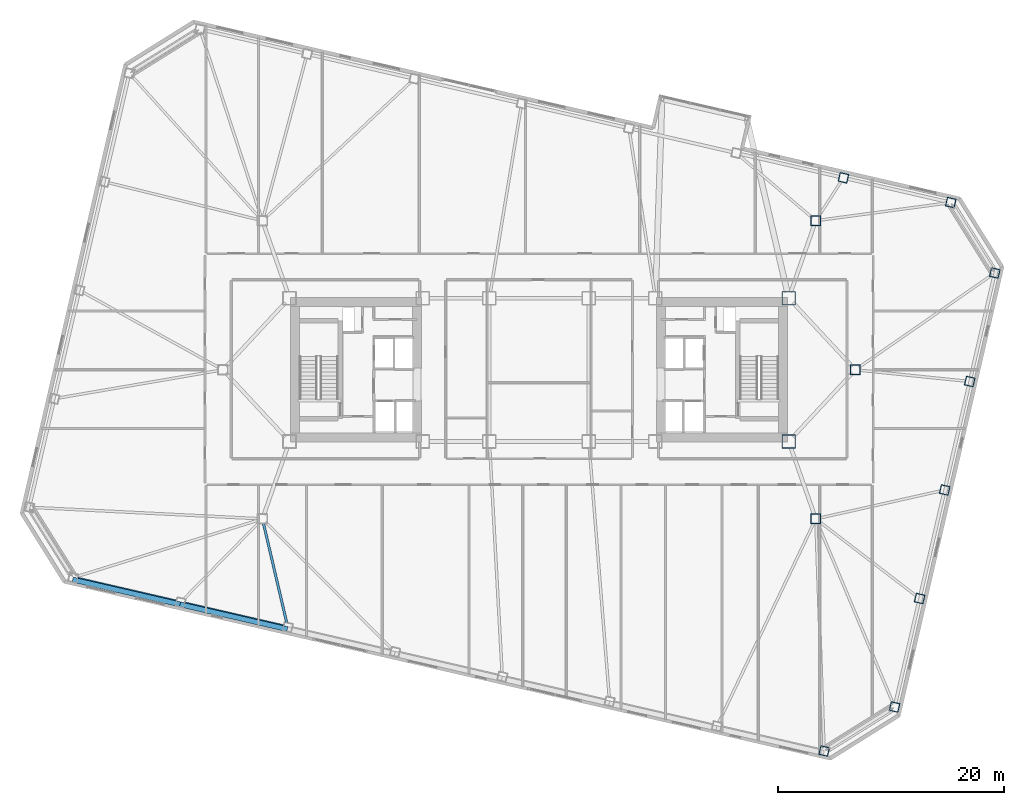
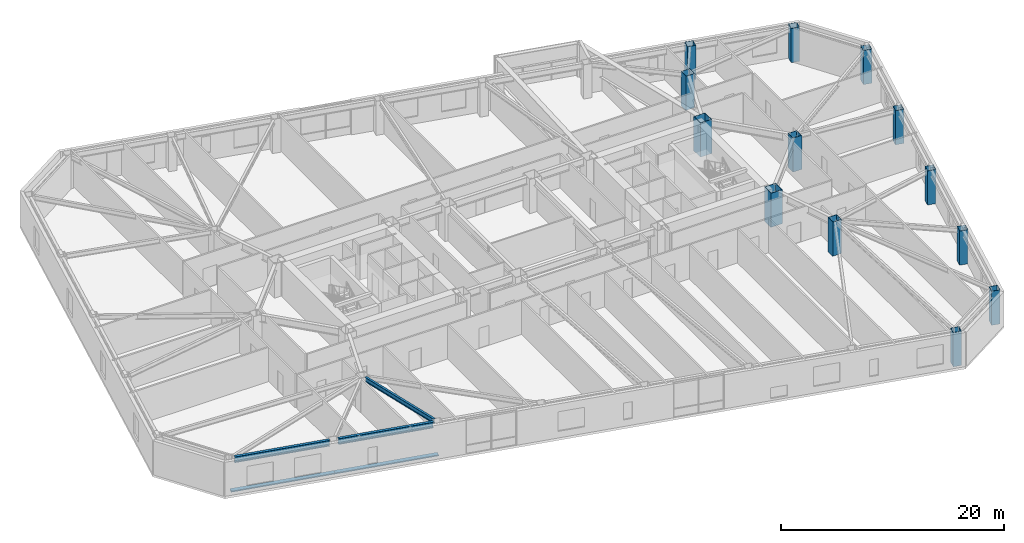
# One storey, part 3 of 23: 13 columns, 3 beams, 2 members.
"""IFC4 building model written with IfcOpenShell, lengths in metres."""

from ifc_helpers import new_model, si_unit, direction, frame, origin, origin_2d, place, context, subcontext, project, spatial, rectangle, hollow_rectangle, i_section, extrude, material, material_profile, profile_set, type_object, element, save


model = new_model("IFC4")

# Units and contexts
model_context = context("Model", 3, precision=1e-05, world=origin(), true_north=direction((0.0, 1.0)))
body_context = subcontext(model_context, "Body", "Model", "MODEL_VIEW")
ifc_project = project(units=[si_unit("LENGTHUNIT", "METRE"), si_unit("AREAUNIT", "SQUARE_METRE"), si_unit("VOLUMEUNIT", "CUBIC_METRE"), si_unit("PLANEANGLEUNIT", "RADIAN"), si_unit("MASSUNIT", "GRAM", prefix="KILO")], contexts=[model_context])

# Site, building, storey
site_placement = place(None, origin())
site = spatial("IfcSite", under=ifc_project, at=site_placement, CompositionType="ELEMENT")
building_placement = place(site_placement, origin())
building = spatial("IfcBuilding", under=site, at=building_placement, Name="Tavrogorsk Clinical Tower", CompositionType="ELEMENT")
storey_placement = place(building_placement, frame((0.0, 0.0, 63.39990234375)))
storey = spatial("IfcBuildingStorey", under=building, at=storey_placement, Name="L13", CompositionType="ELEMENT", Elevation=63.39990234375)

# Columns
ifc_material_1 = material(Name="Structural steel S440", Category="steel")
ifc_material_profile_1 = material_profile(ifc_material_1, hollow_rectangle(XDim=1.199951171875, YDim=1.199951171875, WallThickness=0.050048828125, at=origin_2d()), Name="BOX-1200x1200x50")
ifc_profile_set_1 = profile_set([ifc_material_profile_1], Name="Structural steel S440")
column_type_1 = type_object("IfcColumnType", Name="MegaCol_BOX1200", PredefinedType="COLUMN", material=ifc_profile_set_1)
for number, where, z_axis, x_axis, name in (
    (1, (22.10009765625, -6.35009765625, 0.0), (0.0, 0.0, 1.0), (1.0, 0.0, 0.0), "L13 Mega Column MC-E3"),
    (2, (22.10009765625, 6.35009765625, 0.0), (0.0, 0.0, 1.0), (1.0, 0.0, 0.0), "L13 Mega Column MC-E4"),
):
    element("IfcColumn", number, at=place(storey_placement, frame(where, z_axis=z_axis, x_axis=x_axis)), inside=storey, type_object=column_type_1, Name=name, PredefinedType="COLUMN", context=body_context, shape_type="SweptSolid", body=[
        extrude(hollow_rectangle(XDim=1.199951171875, YDim=1.199951171875, WallThickness=0.050048828125, at=origin_2d()), origin(), (0.0, 0.0, 1.0), 3.739990234375),
    ])
ifc_material_2 = material(Name="Structural steel S440", Category="steel")
ifc_material_profile_2 = material_profile(ifc_material_2, hollow_rectangle(XDim=0.89990234375, YDim=0.89990234375, WallThickness=0.0400390625, at=origin_2d()), Name="BOX-900x900x40")
ifc_profile_set_2 = profile_set([ifc_material_profile_2], Name="Structural steel S440")
column_type_2 = type_object("IfcColumnType", Name="MegaCol_BOX900", PredefinedType="COLUMN", material=ifc_profile_set_2)
for number, where, z_axis, x_axis, name in (
    (3, (24.5, -13.199951171875, 0.0), (0.0, 0.0, 1.0), (1.0, 0.0, 0.0), "L13 Spine Pilotis Column MC-P2"),
    (4, (24.5, 13.199951171875, 0.0), (0.0, 0.0, 1.0), (1.0, 0.0, 0.0), "L13 Spine Pilotis Column MC-P4"),
    (5, (28.0, 0.0, 0.0), (0.0, 0.0, 1.0), (1.0, 0.0, 0.0), "L13 Spine Pilotis Column MC-P6"),
):
    element("IfcColumn", number, at=place(storey_placement, frame(where, z_axis=z_axis, x_axis=x_axis)), inside=storey, type_object=column_type_2, Name=name, PredefinedType="COLUMN", context=body_context, shape_type="SweptSolid", body=[
        extrude(hollow_rectangle(XDim=0.89990234375, YDim=0.89990234375, WallThickness=0.0400390625, at=origin_2d()), origin(), (0.0, 0.0, 1.0), 3.739990234375),
    ])
ifc_material_3 = material(Name="Structural steel S440", Category="steel")
ifc_material_profile_3 = material_profile(ifc_material_3, hollow_rectangle(XDim=0.800048828125, YDim=0.800048828125, WallThickness=0.035888671875, at=origin_2d()), Name="BOX-800x800x36")
ifc_profile_set_3 = profile_set([ifc_material_profile_3], Name="Structural steel S440")
column_type_3 = type_object("IfcColumnType", Name="PerimCol_B1_BOX800", PredefinedType="COLUMN", material=ifc_profile_set_3)
for number, where, z_axis, x_axis, name in (
    (6, (25.23974609375, -33.756591796875, 0.0), (0.0, 0.0, 1.0), (0.974370064785, -0.224951054344, 0.0), "L13 Perimeter Column S8"),
    (7, (36.451416015625, 14.805908203125, 0.0), (0.0, 0.0, 1.0), (0.974370064785, -0.224951054344, 0.0), "L13 Perimeter Column N1"),
    (8, (26.952392578125, 16.998779296875, 0.0), (0.0, 0.0, 1.0), (0.974370064785, -0.224951054344, 0.0), "L13 Perimeter Column N2"),
    (9, (31.476318359375, -29.859619140625, 0.0), (0.0, 0.0, 1.0), (0.974370064785, -0.224951054344, 0.0), "L13 Perimeter Column E1"),
    (10, (33.694091796875, -20.25244140625, 0.0), (0.0, 0.0, 1.0), (0.974370064785, -0.224951054344, 0.0), "L13 Perimeter Column E2"),
    (11, (35.912109375, -10.64501953125, 0.0), (0.0, 0.0, 1.0), (0.974370064785, -0.224951054344, 0.0), "L13 Perimeter Column E3"),
    (12, (38.130126953125, -1.037841796875, 0.0), (0.0, 0.0, 1.0), (0.974370064785, -0.224951054344, 0.0), "L13 Perimeter Column E4"),
    (13, (40.348388671875, 8.569580078125, 0.0), (0.0, 0.0, 1.0), (0.974370064785, -0.224951054344, 0.0), "L13 Perimeter Column E5"),
):
    element("IfcColumn", number, at=place(storey_placement, frame(where, z_axis=z_axis, x_axis=x_axis)), inside=storey, type_object=column_type_3, Name=name, PredefinedType="COLUMN", context=body_context, shape_type="SweptSolid", body=[
        extrude(hollow_rectangle(XDim=0.800048828125, YDim=0.800048828125, WallThickness=0.035888671875, at=origin_2d()), origin(), (0.0, 0.0, 1.0), 3.739990234375),
    ])

# Members
ifc_material_4 = material(Name="Anodised aluminium alloy AW-6063", Category="aluminium")
ifc_material_profile_4 = material_profile(ifc_material_4, rectangle(XDim=0.449951171875, YDim=0.1201171875, at=origin_2d()), Name="ALU-SUNSHADE-450x120")
ifc_profile_set_4 = profile_set([ifc_material_profile_4], Name="Anodised aluminium alloy AW-6063")
member_type = type_object("IfcMemberType", Name="ChicagoSunshade_450x120", PredefinedType="USERDEFINED", material=ifc_profile_set_4)
member_1_placement = place(storey_placement, frame((-41.291748046875, -18.581298828125, 0.18017578125), z_axis=(0.974366709214, -0.224965588425, 0.0), x_axis=(0.224965588425, 0.974366709214, 0.0)))
element("IfcMember", 14, at=member_1_placement, inside=storey, type_object=member_type, Name="L13 South Aluminium Sunshade S1", ObjectType="SUNSHADE", PredefinedType="USERDEFINED", context=body_context, shape_type="SweptSolid", body=[
    extrude(rectangle(XDim=0.449951171875, YDim=0.1201171875, at=origin_2d()), origin(), (0.0, 0.0, 1.0), 9.748779296875),
])
member_2_placement = place(storey_placement, frame((-31.79296875, -20.7744140625, 0.18017578125), z_axis=(0.974370931236, -0.2249473013, 0.0), x_axis=(0.2249473013, 0.974370931236, 0.0)))
element("IfcMember", 15, at=member_2_placement, inside=storey, type_object=member_type, Name="L13 South Aluminium Sunshade S2", ObjectType="SUNSHADE", PredefinedType="USERDEFINED", context=body_context, shape_type="SweptSolid", body=[
    extrude(rectangle(XDim=0.449951171875, YDim=0.1201171875, at=origin_2d()), origin(), (0.0, 0.0, 1.0), 9.748291015625),
])

# Beams
ifc_material_5 = material(Name="Structural steel S355", Category="steel")
ifc_material_profile_5 = material_profile(ifc_material_5, i_section(OverallWidth=0.219970703125, OverallDepth=0.5, WebThickness=0.012939453125, FlangeThickness=0.02001953125, at=origin_2d()), Name="B-500x220x13x20")
ifc_profile_set_5 = profile_set([ifc_material_profile_5], Name="Structural steel S355")
beam_type_1 = type_object("IfcBeamType", Name="FloorBeam_B500", PredefinedType="BEAM", material=ifc_profile_set_5)
beam_placement = place(storey_placement, frame((-24.406494140625, -13.59912109375, 3.489990234375), z_axis=(0.227996771429, -0.973661888038, 0.0), x_axis=(0.973661888038, 0.227996771429, 0.0)))
element("IfcBeam", 16, at=beam_placement, inside=storey, type_object=beam_type_1, Name="L13 Radial Floor Beam S3", PredefinedType="BEAM", context=body_context, shape_type="SweptSolid", body=[
    extrude(i_section(OverallWidth=0.219970703125, OverallDepth=0.5, WebThickness=0.012939453125, FlangeThickness=0.02001953125, at=origin_2d()), origin(), (0.0, 0.0, 1.0), 9.033447265625),
])
ifc_material_6 = material(Name="Structural steel S390", Category="steel")
ifc_material_profile_6 = material_profile(ifc_material_6, i_section(OverallWidth=0.280029296875, OverallDepth=0.64990234375, WebThickness=0.01611328125, FlangeThickness=0.02490234375, at=origin_2d()), Name="B-650x280x16x25")
ifc_profile_set_6 = profile_set([ifc_material_profile_6], Name="Structural steel S390")
beam_type_2 = type_object("IfcBeamType", Name="SpandrelBeam_B650", PredefinedType="SPANDREL", material=ifc_profile_set_6)
for number, where, z_axis, x_axis, name in (
    (17, (-40.853759765625, -18.497802734375, 3.4150390625), (0.974372766602, -0.224939351168, 0.0), (0.224939351168, 0.974372766602, 0.0), "L13 Perimeter Spandrel S1-S2"),
    (18, (-31.35498046875, -20.690673828125, 3.4150390625), (0.974366775889, -0.224965299645, 0.0), (0.224965299645, 0.974366775889, 0.0), "L13 Perimeter Spandrel S2-S3"),
):
    element("IfcBeam", number, at=place(storey_placement, frame(where, z_axis=z_axis, x_axis=x_axis)), inside=storey, type_object=beam_type_2, Name=name, PredefinedType="SPANDREL", context=body_context, shape_type="SweptSolid", body=[
        extrude(i_section(OverallWidth=0.280029296875, OverallDepth=0.64990234375, WebThickness=0.01611328125, FlangeThickness=0.02490234375, at=origin_2d()), origin(), (0.0, 0.0, 1.0), 8.9326171875),
    ])

save(model, "model.ifc")
